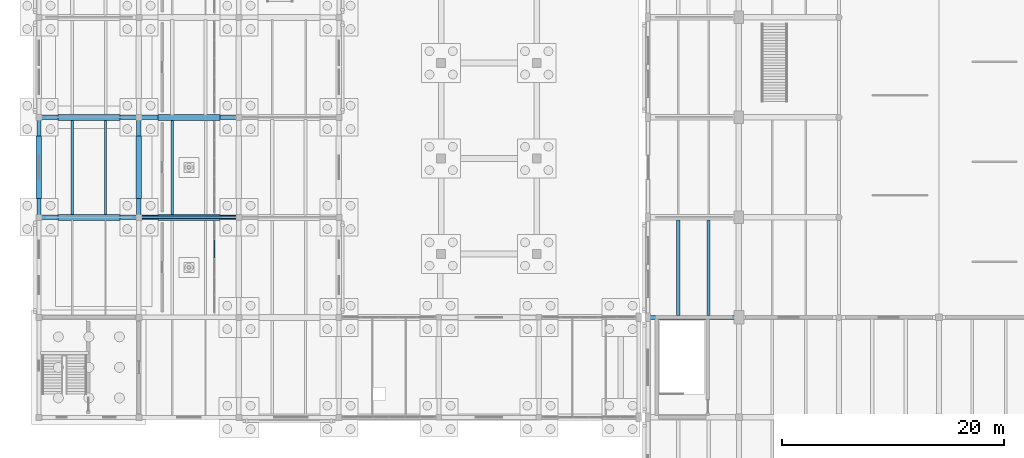
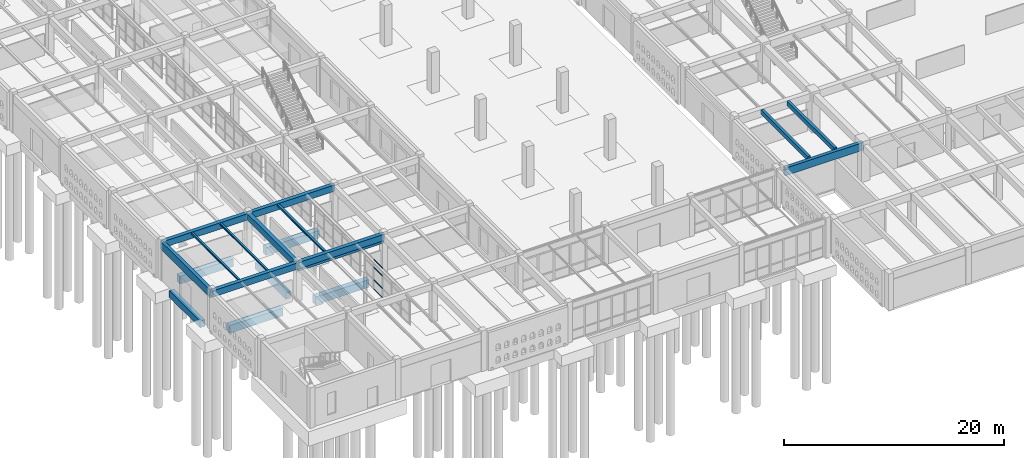
# One storey, part 36 of 186: 19 beams, 4 members, 1 element without a shape of its own.
"""IFC4 building model written with IfcOpenShell, lengths in metres."""

from ifc_helpers import new_model, si_unit, direction, frame, origin, origin_2d, place, context, subcontext, project, spatial, rectangle, hollow_rectangle, i_section, extrude, material, layer, layer_set, material_profile, profile_set, type_object, element, aggregate, save


model = new_model("IFC4")

# Units and contexts
model_context = context("Model", 3, precision=1e-05, world=origin(), true_north=direction((0.0, 1.0)))
body_context = subcontext(model_context, "Body", "Model", "MODEL_VIEW")
ifc_project = project(units=[si_unit("LENGTHUNIT", "METRE"), si_unit("AREAUNIT", "SQUARE_METRE"), si_unit("VOLUMEUNIT", "CUBIC_METRE"), si_unit("PLANEANGLEUNIT", "RADIAN"), si_unit("MASSUNIT", "GRAM", prefix="KILO")], contexts=[model_context])

# Site, building, storey
site_placement = place(None, origin())
site = spatial("IfcSite", under=ifc_project, at=site_placement, CompositionType="ELEMENT")
building_placement = place(site_placement, origin())
building = spatial("IfcBuilding", under=site, at=building_placement, Name="Ornek Quay Market", CompositionType="ELEMENT")
storey_placement = place(building_placement, origin())
storey = spatial("IfcBuildingStorey", under=building, at=storey_placement, Name="L00", CompositionType="ELEMENT", Elevation=0.0)

# Beams
ifc_material_1 = material(Name="Concrete C35/45", Category="concrete")
ifc_material_profile_1 = material_profile(ifc_material_1, rectangle(XDim=0.5, YDim=0.75, at=origin_2d()), Name="RC 500x750", Category="concrete")
ifc_profile_set_1 = profile_set([ifc_material_profile_1], Name="Concrete C35/45")
beam_type_1 = type_object("IfcBeamType", Name="BM-GB-500x750", PredefinedType="BEAM", material=ifc_profile_set_1)
for number, where, z_axis, x_axis, name in (
    (1, (0.0, 39.699951171875, -0.574951171875), (0.0, 1.0, 0.0), (-1.0, 0.0, 0.0), "Ground tie beam GB-054"),
    (2, (9.0, 39.699951171875, -0.574951171875), (0.0, 1.0, 0.0), (-1.0, 0.0, 0.0), "Ground tie beam GB-060"),
):
    element("IfcBeam", number, at=place(storey_placement, frame(where, z_axis=z_axis, x_axis=x_axis)), inside=storey, type_object=beam_type_1, Name=name, PredefinedType="BEAM", context=body_context, shape_type="SweptSolid", body=[
        extrude(rectangle(XDim=0.5, YDim=0.75, at=origin_2d()), origin(), (0.0, 0.0, 1.0), 5.60009765625),
    ])
ifc_material_profile_2 = material_profile(ifc_material_1, rectangle(XDim=0.550048828125, YDim=0.85009765625, at=origin_2d()), Name="RC 550x850", Category="concrete")
ifc_profile_set_2 = profile_set([ifc_material_profile_2], Name="Concrete C35/45")
beam_type_2 = type_object("IfcBeamType", Name="BM-GB-550x850", PredefinedType="BEAM", material=ifc_profile_set_2)
for number, where, z_axis, x_axis, name in (
    (3, (1.699951171875, 38.0, -0.625), (1.0, 0.0, 0.0), (0.0, 1.0, 0.0), "Ground tie beam GB-010"),
    (4, (10.699951171875, 38.0, -0.625), (1.0, 0.0, 0.0), (0.0, 1.0, 0.0), "Ground tie beam GB-011"),
    (5, (1.699951171875, 47.0, -0.625), (1.0, 0.0, 0.0), (0.0, 1.0, 0.0), "Ground tie beam GB-014"),
    (6, (10.699951171875, 47.0, -0.625), (1.0, 0.0, 0.0), (0.0, 1.0, 0.0), "Ground tie beam GB-015"),
):
    element("IfcBeam", number, at=place(storey_placement, frame(where, z_axis=z_axis, x_axis=x_axis)), inside=storey, type_object=beam_type_2, Name=name, PredefinedType="BEAM", context=body_context, shape_type="SweptSolid", body=[
        extrude(rectangle(XDim=0.550048828125, YDim=0.85009765625, at=origin_2d()), origin(), (0.0, 0.0, 1.0), 5.60009765625),
    ])
ifc_material_2 = material(Name="Precast concrete C40/50", Category="concrete")
ifc_material_profile_3 = material_profile(ifc_material_2, rectangle(XDim=0.25, YDim=0.320068359375, at=origin_2d()), Name="RC 250x320", Category="concrete")
ifc_profile_set_3 = profile_set([ifc_material_profile_3], Name="Precast concrete C40/50")
beam_type_3 = type_object("IfcBeamType", Name="BM-LNT-250x320", PredefinedType="LINTEL", material=ifc_profile_set_3)
beam_1_placement = place(storey_placement, frame((9.0, 38.0, 3.35009765625), z_axis=(1.0, 0.0, 0.0), x_axis=(0.0, 1.0, 0.0)))
element("IfcBeam", 7, at=beam_1_placement, inside=storey, type_object=beam_type_3, Name="Market portal lintel LN-03", PredefinedType="LINTEL", context=body_context, shape_type="SweptSolid", body=[
    extrude(rectangle(XDim=0.25, YDim=0.320068359375, at=origin_2d()), origin(), (0.0, 0.0, 1.0), 9.0),
])
ifc_material_profile_4 = material_profile(ifc_material_1, rectangle(XDim=0.280029296875, YDim=0.5, at=origin_2d()), Name="RC 280x500", Category="concrete")
ifc_profile_set_4 = profile_set([ifc_material_profile_4], Name="Concrete C35/45")
beam_type_4 = type_object("IfcBeamType", Name="BM-SEC-280x500", PredefinedType="JOIST", material=ifc_profile_set_4)
for number, where, z_axis, x_axis, name in (
    (8, (57.533203125, 29.1669921875, 3.989990234375), (0.0, 1.0, 0.0), (-1.0, 0.0, 0.0), "Secondary joist B-SC2-039"),
    (9, (60.2666015625, 29.1669921875, 3.989990234375), (0.0, 1.0, 0.0), (-1.0, 0.0, 0.0), "Secondary joist B-SC2-040"),
):
    element("IfcBeam", number, at=place(storey_placement, frame(where, z_axis=z_axis, x_axis=x_axis)), inside=storey, type_object=beam_type_4, Name=name, PredefinedType="JOIST", context=body_context, shape_type="SweptSolid", body=[
        extrude(rectangle(XDim=0.280029296875, YDim=0.5, at=origin_2d()), origin(), (0.0, 0.0, 1.0), 8.591064453125),
    ])
ifc_material_3 = material(Name="Concrete C40/50", Category="concrete")
ifc_material_profile_5 = material_profile(ifc_material_3, rectangle(XDim=0.35009765625, YDim=0.85009765625, at=origin_2d()), Name="RC 350x850", Category="concrete")
ifc_profile_set_5 = profile_set([ifc_material_profile_5], Name="Concrete C40/50")
beam_type_5 = type_object("IfcBeamType", Name="BM-SPN-350x850", PredefinedType="SPANDREL", material=ifc_profile_set_5)
beam_2_placement = place(storey_placement, frame((0.0, 38.0, 3.794921875), z_axis=(0.0, 1.0, 0.0), x_axis=(-1.0, 0.0, 0.0)))
element("IfcBeam", 10, at=beam_2_placement, inside=storey, type_object=beam_type_5, Name="Primary beam B-SP1-052", PredefinedType="SPANDREL", context=body_context, shape_type="SweptSolid", body=[
    extrude(rectangle(XDim=0.35009765625, YDim=0.85009765625, at=origin_2d()), origin(), (0.0, 0.0, 1.0), 9.0),
])
beam_3_placement = place(storey_placement, frame((54.800048828125, 29.0, 3.635009765625), z_axis=(1.0, 0.0, 0.0), x_axis=(0.0, 1.0, 0.0)))
element("IfcBeam", 11, at=beam_3_placement, inside=storey, type_object=beam_type_5, Name="Primary beam B-SP1-078", PredefinedType="SPANDREL", context=body_context, shape_type="SweptSolid", body=[
    extrude(rectangle(XDim=0.35009765625, YDim=0.85009765625, at=origin_2d()), origin(), (0.0, 0.0, 1.0), 8.199951171875),
])
ifc_material_4 = material(Name="Steel S355", Category="steel")
ifc_material_profile_6 = material_profile(ifc_material_4, i_section(OverallWidth=0.199951171875, OverallDepth=0.18994140625, WebThickness=0.006591796875, FlangeThickness=0.010009765625, FilletRadius=0.01806640625, at=origin_2d()), Name="HEA 200", Category="steel")
ifc_profile_set_6 = profile_set([ifc_material_profile_6], Name="Steel S355")
beam_type_6 = type_object("IfcBeamType", Name="BM-STL-HEA200", PredefinedType="BEAM", material=ifc_profile_set_6)
for number, where, z_axis, x_axis, name in (
    (12, (3.0, 38.19189453125, 4.125), (0.0, 1.0, 0.0), (-1.0, 0.0, 0.0), "Secondary joist SB-12-001"),
    (13, (6.0, 38.19189453125, 4.125), (0.0, 1.0, 0.0), (-1.0, 0.0, 0.0), "Secondary joist SB-12-002"),
):
    element("IfcBeam", number, at=place(storey_placement, frame(where, z_axis=z_axis, x_axis=x_axis)), inside=storey, type_object=beam_type_6, Name=name, PredefinedType="BEAM", context=body_context, shape_type="SweptSolid", body=[
        extrude(i_section(OverallWidth=0.199951171875, OverallDepth=0.18994140625, WebThickness=0.006591796875, FlangeThickness=0.010009765625, FilletRadius=0.01806640625, at=origin_2d()), origin(), (0.0, 0.0, 1.0), 8.6162109375),
    ])
ifc_material_profile_7 = material_profile(ifc_material_4, i_section(OverallWidth=0.219970703125, OverallDepth=0.2099609375, WebThickness=0.007080078125, FlangeThickness=0.010986328125, FilletRadius=0.01806640625, at=origin_2d()), Name="HEA 220", Category="steel")
ifc_profile_set_7 = profile_set([ifc_material_profile_7], Name="Steel S355")
beam_type_7 = type_object("IfcBeamType", Name="BM-STL-HEA220", PredefinedType="BEAM", material=ifc_profile_set_7)
beam_4_placement = place(storey_placement, frame((12.0, 38.19189453125, 4.114990234375), z_axis=(0.0, 1.0, 0.0), x_axis=(-1.0, 0.0, 0.0)))
element("IfcBeam", 14, at=beam_4_placement, inside=storey, type_object=beam_type_7, Name="Secondary joist SB-13-005", PredefinedType="BEAM", context=body_context, shape_type="SweptSolid", body=[
    extrude(i_section(OverallWidth=0.219970703125, OverallDepth=0.2099609375, WebThickness=0.007080078125, FlangeThickness=0.010986328125, FilletRadius=0.01806640625, at=origin_2d()), origin(), (0.0, 0.0, 1.0), 8.6162109375),
])
ifc_material_profile_8 = material_profile(ifc_material_1, rectangle(XDim=0.39990234375, YDim=0.699951171875, at=origin_2d()), Name="RC 400x700", Category="concrete")
ifc_profile_set_8 = profile_set([ifc_material_profile_8], Name="Concrete C35/45")
beam_type_8 = type_object("IfcBeamType", Name="BM-WW-400x700", PredefinedType="BEAM", material=ifc_profile_set_8)
for number, where, z_axis, x_axis, name in (
    (15, (0.0, 38.0, 3.8701171875), (1.0, 0.0, 0.0), (0.0, 1.0, 0.0), "Primary beam B-WW1-004"),
    (16, (9.0, 38.0, 3.8701171875), (1.0, 0.0, 0.0), (0.0, 1.0, 0.0), "Primary beam B-WW1-005"),
    (17, (0.0, 47.0, 3.8701171875), (1.0, 0.0, 0.0), (0.0, 1.0, 0.0), "Primary beam B-WW1-007"),
    (18, (9.0, 47.0, 3.8701171875), (1.0, 0.0, 0.0), (0.0, 1.0, 0.0), "Primary beam B-WW1-008"),
    (19, (9.0, 38.0, 3.8701171875), (0.0, 1.0, 0.0), (-1.0, 0.0, 0.0), "Primary beam B-WW1-030"),
):
    element("IfcBeam", number, at=place(storey_placement, frame(where, z_axis=z_axis, x_axis=x_axis)), inside=storey, type_object=beam_type_8, Name=name, PredefinedType="BEAM", context=body_context, shape_type="SweptSolid", body=[
        extrude(rectangle(XDim=0.39990234375, YDim=0.699951171875, at=origin_2d()), origin(), (0.0, 0.0, 1.0), 9.0),
    ])

# Curtain wall, members
ifc_material_5 = material(Name="Anodised bronze aluminium and triple low-e glass", Category="aluminium")
ifc_layer = layer(ifc_material_5, 0.179931640625, Name="Anodised bronze aluminium and triple low-e glass", Category="aluminium")
ifc_layer_set = layer_set([ifc_layer], Name="Anodised bronze aluminium and triple low-e glass")
curtain_wall_type = type_object("IfcCurtainWallType", Name="CW-CONC-MOD1500", PredefinedType="USERDEFINED", material=ifc_layer_set)
curtain_wall_placement = place(storey_placement, origin())
curtain_wall = element("IfcCurtainWall", 20, at=curtain_wall_placement, inside=storey, type_object=curtain_wall_type, Name="Curtain wall CW-134", ObjectType="CURTAIN WALL", PredefinedType="USERDEFINED")
ifc_material_6 = material(Name="Anodised aluminium 6063-T6", Category="aluminium")
ifc_material_profile_9 = material_profile(ifc_material_6, hollow_rectangle(XDim=0.06005859375, YDim=0.1201171875, WallThickness=0.00390625, at=origin_2d()), Name="CW-TRN-60x120", Category="aluminium")
ifc_profile_set_9 = profile_set([ifc_material_profile_9], Name="Anodised aluminium 6063-T6")
member_type = type_object("IfcMemberType", Name="CW-TRN-60x120", PredefinedType="USERDEFINED", material=ifc_profile_set_9)
member_1_placement = place(storey_placement, frame((15.800048828125, 34.35009765625, 0.030029296875), z_axis=(0.0, 1.0, 0.0), x_axis=(-1.0, 0.0, 0.0)))
member_1 = element("IfcMember", 21, at=member_1_placement, type_object=member_type, Name="CW-134 transom 4.1", ObjectType="TRANSOM", PredefinedType="USERDEFINED", context=body_context, shape_type="SweptSolid", body=[
    extrude(hollow_rectangle(XDim=0.06005859375, YDim=0.1201171875, WallThickness=0.00390625, at=origin_2d()), origin(), (0.0, 0.0, 1.0), 1.579833984375),
])
member_2_placement = place(storey_placement, frame((15.800048828125, 34.35009765625, 1.050048828125), z_axis=(0.0, 1.0, 0.0), x_axis=(-1.0, 0.0, 0.0)))
member_2 = element("IfcMember", 22, at=member_2_placement, type_object=member_type, Name="CW-134 transom 4.2", ObjectType="TRANSOM", PredefinedType="USERDEFINED", context=body_context, shape_type="SweptSolid", body=[
    extrude(hollow_rectangle(XDim=0.06005859375, YDim=0.1201171875, WallThickness=0.00390625, at=origin_2d()), origin(), (0.0, 0.0, 1.0), 1.579833984375),
])
member_3_placement = place(storey_placement, frame((15.800048828125, 34.35009765625, 2.449951171875), z_axis=(0.0, 1.0, 0.0), x_axis=(-1.0, 0.0, 0.0)))
member_3 = element("IfcMember", 23, at=member_3_placement, type_object=member_type, Name="CW-134 transom 4.3", ObjectType="TRANSOM", PredefinedType="USERDEFINED", context=body_context, shape_type="SweptSolid", body=[
    extrude(hollow_rectangle(XDim=0.06005859375, YDim=0.1201171875, WallThickness=0.00390625, at=origin_2d()), origin(), (0.0, 0.0, 1.0), 1.579833984375),
])
member_4_placement = place(storey_placement, frame((15.800048828125, 34.35009765625, 3.27001953125), z_axis=(0.0, 1.0, 0.0), x_axis=(-1.0, 0.0, 0.0)))
member_4 = element("IfcMember", 24, at=member_4_placement, type_object=member_type, Name="CW-134 transom 4.4", ObjectType="TRANSOM", PredefinedType="USERDEFINED", context=body_context, shape_type="SweptSolid", body=[
    extrude(hollow_rectangle(XDim=0.06005859375, YDim=0.1201171875, WallThickness=0.00390625, at=origin_2d()), origin(), (0.0, 0.0, 1.0), 1.579833984375),
])
aggregate(curtain_wall, [member_1, member_2, member_3, member_4])

save(model, "model.ifc")
